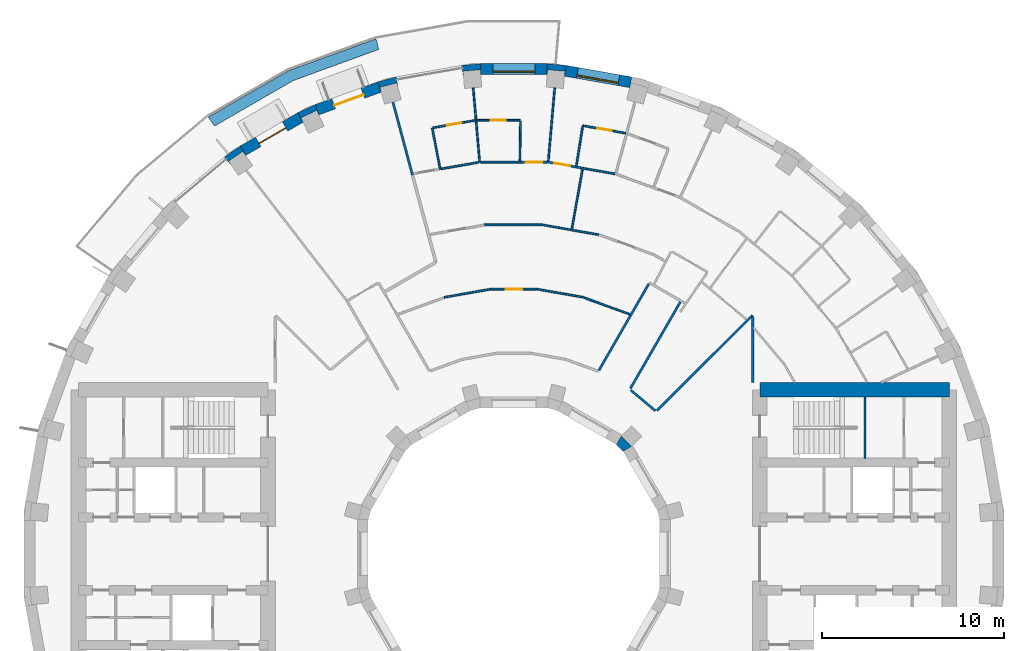
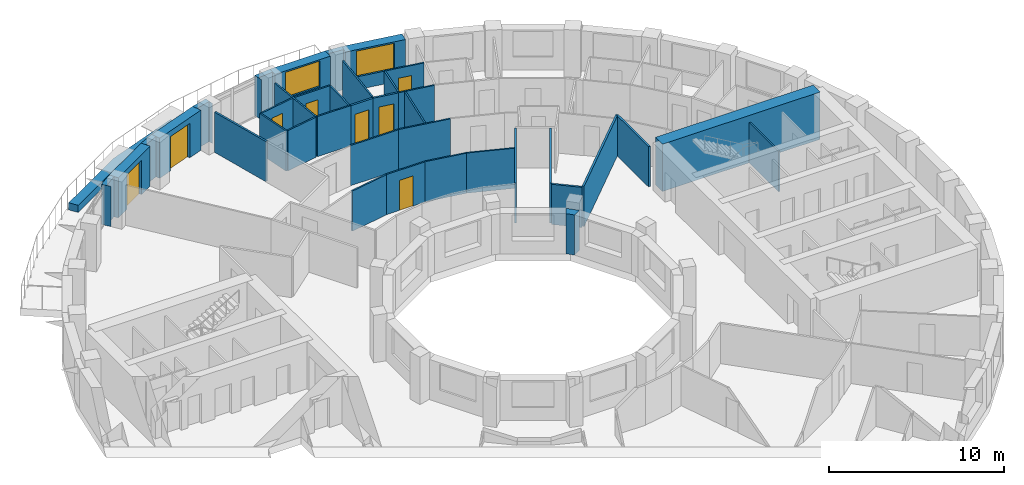
# One storey, part 11 of 14: 39 walls, 8 doors, 2 windows, 10 openings.
"""IFC4 building model written with IfcOpenShell, lengths in metres."""

import ifcopenshell
import ifcopenshell.guid

model = None  # the IFC model being written
_history = None  # IfcOwnerHistory: only IFC2X3 demands one
_inside = {}  # id of a spatial element -> (the spatial element, [elements in it])
_under = {}  # id of a project, library or spatial element -> (it, [spatial elements below it])
_declared = {}  # id of a project -> (the project, [libraries it declares])
_typed = {}  # id of a type object -> (the type object, [elements of that type])
_made_of = {}  # id of a material, layer set ... -> (it, [elements and type objects made of it])


def new_model(schema):
    """Start an empty IFC model of exactly this schema.

    Asked for "IFC4X3", IfcOpenShell would pick the latest addendum, in which some entities
    have other attributes; the version numbers below select the first issue.
    IFC2X3 requires an IfcOwnerHistory on every rooted entity: one is made here for all.
    """
    global model, _history
    if schema == "IFC4X3":
        model = ifcopenshell.file(schema_version=(4, 3, 0, 0))
    else:
        model = ifcopenshell.file(schema=schema)
    _inside.clear()
    _under.clear()
    _declared.clear()
    _typed.clear()
    _made_of.clear()
    _history = None
    if model.schema == "IFC2X3":
        org = make("IfcOrganization", Name="unknown")
        user = make(
            "IfcPersonAndOrganization",
            ThePerson=make("IfcPerson", FamilyName="unknown"),
            TheOrganization=org,
        )
        app = make(
            "IfcApplication",
            ApplicationDeveloper=org,
            Version="unknown",
            ApplicationFullName="unknown",
            ApplicationIdentifier="unknown",
        )
        _history = make(
            "IfcOwnerHistory",
            OwningUser=user,
            OwningApplication=app,
            ChangeAction="ADDED",
            CreationDate=0,
        )
    return model


def make(cls, **values):
    """One entity of the class cls with the attributes given. An attribute that is None is left unset."""
    return model.create_entity(
        cls, **{name: value for name, value in values.items() if value is not None}
    )


def rooted(cls, **values):
    """An entity with a GlobalId (a new one), such as an element, a storey or a relation."""
    return make(cls, GlobalId=ifcopenshell.guid.new(), OwnerHistory=_history, **values)


def si_unit(unit_type, name, prefix=None):
    """IfcSIUnit, for example si_unit("LENGTHUNIT", "METRE", prefix="MILLI")."""
    return make("IfcSIUnit", UnitType=unit_type, Prefix=prefix, Name=name)


def assignment(units):
    """IfcUnitAssignment: the units of a project."""
    return None if units is None else make("IfcUnitAssignment", Units=units)


def point(xyz):
    """IfcCartesianPoint."""
    return None if xyz is None else make("IfcCartesianPoint", Coordinates=xyz)


def direction(xyz):
    """IfcDirection."""
    return None if xyz is None else make("IfcDirection", DirectionRatios=xyz)


def frame(location, z_axis=None, x_axis=None):
    """IfcAxis2Placement3D, a coordinate frame: its origin and axes. An axis left out is left unset."""
    return make(
        "IfcAxis2Placement3D",
        Location=point(location),
        Axis=direction(z_axis),
        RefDirection=direction(x_axis),
    )


def frame_2d(location, x_axis=None):
    """IfcAxis2Placement2D, a coordinate frame in the plane: its origin and x axis."""
    return make(
        "IfcAxis2Placement2D", Location=point(location), RefDirection=direction(x_axis)
    )


def origin():
    """The frame at (0, 0, 0) with its axes left unset."""
    return frame((0.0, 0.0, 0.0))


def place(relative_to, where):
    """IfcLocalPlacement: puts the frame where relative to a parent placement (None: the world)."""
    return make(
        "IfcLocalPlacement", PlacementRelTo=relative_to, RelativePlacement=where
    )


def context(
    kind, dimensions, precision=None, world=None, true_north=None, identifier=None
):
    """IfcGeometricRepresentationContext, for example the 3D "Model" context."""
    return make(
        "IfcGeometricRepresentationContext",
        ContextIdentifier=identifier,
        ContextType=kind,
        CoordinateSpaceDimension=dimensions,
        Precision=precision,
        WorldCoordinateSystem=world,
        TrueNorth=true_north,
    )


def subcontext(parent, identifier, kind, view, scale=None):
    """IfcGeometricRepresentationSubContext, for example "Body" below "Model"."""
    return make(
        "IfcGeometricRepresentationSubContext",
        ContextIdentifier=identifier,
        ContextType=kind,
        ParentContext=parent,
        TargetScale=scale,
        TargetView=view,
    )


def project(units=None, contexts=None):
    """IfcProject with its units and contexts."""
    return rooted(
        "IfcProject",
        Name="project",
        RepresentationContexts=contexts,
        UnitsInContext=assignment(units),
    )


def spatial(cls, under=None, at=None, **own):
    """A site, building, storey or space (cls), placed at a placement, below another one or the project."""
    s = rooted(cls, ObjectPlacement=at, **own)
    if under is not None:
        _under.setdefault(under.id(), (under, []))[1].append(s)
    return s


def polyline(points):
    """IfcPolyline through the points."""
    return make("IfcPolyline", Points=[point(p) for p in points])


def profile(cls, at=None, kind="AREA", **sizes):
    """A parametric profile (cls). Its sizes go by their IFC names, for example OverallWidth=200.0."""
    return make(cls, ProfileType=kind, Position=at, **sizes)


def rectangle(**sizes):
    """IfcRectangleProfileDef."""
    return profile("IfcRectangleProfileDef", **sizes)


def outline(outer, holes=None, kind="AREA"):
    """IfcArbitraryClosedProfileDef: a profile drawn as a closed curve; with holes, ...WithVoids."""
    if holes is None:
        return make("IfcArbitraryClosedProfileDef", ProfileType=kind, OuterCurve=outer)
    return make(
        "IfcArbitraryProfileDefWithVoids",
        ProfileType=kind,
        OuterCurve=outer,
        InnerCurves=holes,
    )


def extrude(swept, where, along, depth):
    """IfcExtrudedAreaSolid: the profile swept, set in the frame where, extruded along a direction by depth."""
    return make(
        "IfcExtrudedAreaSolid",
        SweptArea=swept,
        Position=where,
        ExtrudedDirection=direction(along),
        Depth=depth,
    )


def shape(context_of_items, identifier, shape_type, items):
    """IfcShapeRepresentation: the items that make up one representation, for example the "Body"."""
    return make(
        "IfcShapeRepresentation",
        ContextOfItems=context_of_items,
        RepresentationIdentifier=identifier,
        RepresentationType=shape_type,
        Items=items,
    )


def material(Name=None, Category=None):
    """IfcMaterial."""
    return make("IfcMaterial", Name=Name, Category=Category)


def layer(
    of_material, thickness, ventilated=None, Name=None, Category=None, Priority=None
):
    """IfcMaterialLayer: one layer of a wall or slab, of a material (None: an air gap)."""
    return make(
        "IfcMaterialLayer",
        Material=of_material,
        LayerThickness=thickness,
        IsVentilated=ventilated,
        Name=Name,
        Category=Category,
        Priority=Priority,
    )


def layer_set(layers, Name=None):
    """IfcMaterialLayerSet."""
    return make("IfcMaterialLayerSet", MaterialLayers=layers, LayerSetName=Name)


def made_of(thing, what):
    """Note that an element or type object is made of a material, layer set ...; save() writes the relation."""
    if what is not None:
        _made_of.setdefault(what.id(), (what, []))[1].append(thing)
    return thing


def type_object(cls, material=None, **own):
    """A type object (cls), such as IfcWallType, which elements share."""
    return made_of(rooted(cls, **own), material)


def element(
    cls,
    number,
    at=None,
    inside=None,
    cuts=None,
    type_object=None,
    material=None,
    context=None,
    identifier="Body",
    shape_type=None,
    held_by="IfcProductDefinitionShape",
    body=None,
    shapes=None,
    **own,
):
    """One element of the class cls, such as IfcWall. Its Tag is "e" and its number.

    at: its placement. inside: the storey or other place that contains it. cuts: it is an
    opening in that element (IfcRelVoidsElement). A single representation is given by context,
    identifier, shape_type and body (its items); several are given by shapes. held_by: the class
    of the entity that holds the representations. save() writes the other relations.
    """
    e = rooted(cls, Tag="e%d" % number, ObjectPlacement=at, **own)
    if body is not None:
        shapes = [shape(context, identifier, shape_type, body)]
    if shapes is not None:
        e.Representation = make(held_by, Representations=shapes)
    if inside is not None:
        _inside.setdefault(inside.id(), (inside, []))[1].append(e)
    if cuts is not None:
        rooted(
            "IfcRelVoidsElement", RelatingBuildingElement=cuts, RelatedOpeningElement=e
        )
    if type_object is not None:
        _typed.setdefault(type_object.id(), (type_object, []))[1].append(e)
    return made_of(e, material)


def fill(opening, filler):
    """IfcRelFillsElement: the door or window that sits in an opening."""
    return rooted(
        "IfcRelFillsElement",
        RelatingOpeningElement=opening,
        RelatedBuildingElement=filler,
    )


def aggregate(whole, parts):
    """IfcRelAggregates: a whole, such as a stair, and the parts it consists of."""
    return rooted("IfcRelAggregates", RelatingObject=whole, RelatedObjects=parts)


def save(model, path):
    """Write the relations noted so far, then the file.

    IfcRelAggregates (storeys below a building ...), IfcRelContainedInSpatialStructure (elements
    in a storey), IfcRelDefinesByType, IfcRelAssociatesMaterial and IfcRelDeclares: one each for
    every whole, place, type object, material and project.
    """
    for whole, parts in _under.values():
        aggregate(whole, parts)
    for where, things in _inside.values():
        rooted(
            "IfcRelContainedInSpatialStructure",
            RelatedElements=things,
            RelatingStructure=where,
        )
    for kind, things in _typed.values():
        rooted("IfcRelDefinesByType", RelatedObjects=things, RelatingType=kind)
    for what, things in _made_of.values():
        rooted("IfcRelAssociatesMaterial", RelatedObjects=things, RelatingMaterial=what)
    for by, libraries in _declared.values():
        rooted("IfcRelDeclares", RelatingContext=by, RelatedDefinitions=libraries)
    model.write(path)


model = new_model("IFC4")

# Units and contexts
model_context = context("Model", 3, precision=1e-05, world=origin(), true_north=direction((0.0, 1.0)))
body_context = subcontext(model_context, "Body", "Model", "MODEL_VIEW")
ifc_project = project(units=[si_unit("LENGTHUNIT", "METRE"), si_unit("AREAUNIT", "SQUARE_METRE"), si_unit("VOLUMEUNIT", "CUBIC_METRE"), si_unit("PLANEANGLEUNIT", "RADIAN"), si_unit("MASSUNIT", "GRAM", prefix="KILO")], contexts=[model_context])

# Site, building, storey
site_placement = place(None, origin())
site = spatial("IfcSite", under=ifc_project, at=site_placement, CompositionType="ELEMENT")
building_placement = place(site_placement, origin())
building = spatial("IfcBuilding", under=site, at=building_placement, Name="Saqina Gate Tower", CompositionType="ELEMENT")
storey_placement = place(building_placement, frame((0.0, 0.0, 98.5)))
storey = spatial("IfcBuildingStorey", under=building, at=storey_placement, Name="L27", CompositionType="ELEMENT", Elevation=98.5)

# Walls
ifc_material_1 = material(Name="Brick masonry (buff)", Category="masonry")
wall_type_1 = type_object("IfcWallType", Name="BRICK PIER COPING BUFF", PredefinedType="SOLIDWALL", material=ifc_material_1)
wall_1_placement = place(storey_placement, origin())
element("IfcWall", 1, at=wall_1_placement, inside=storey, type_object=wall_type_1, Name="Pier cap L27 column 9", PredefinedType="SOLIDWALL", context=body_context, shape_type="SweptSolid", body=[
    extrude(outline(polyline([(2.87451171875, 26.805419921875), (1.823974609375, 26.897216796875), (1.823974609375, 26.29736328125), (1.847412109375, 26.565185546875), (2.793701171875, 26.482421875), (2.770263671875, 26.214599609375), (2.87451171875, 26.805419921875)])), origin(), (0.0, 0.0, 1.0), 2.800048828125),
])
wall_2_placement = place(storey_placement, origin())
element("IfcWall", 2, at=wall_2_placement, inside=storey, type_object=wall_type_1, Name="Pier cap L27 column 10", PredefinedType="SOLIDWALL", context=body_context, shape_type="SweptSolid", body=[
    extrude(outline(polyline([(-2.87451171875, 26.805419921875), (-2.770263671875, 26.214599609375), (-2.793701171875, 26.482421875), (-1.847412109375, 26.565185546875), (-1.823974609375, 26.29736328125), (-1.823974609375, 26.897216796875), (-2.87451171875, 26.805419921875)])), origin(), (0.0, 0.0, 1.0), 2.800048828125),
])
wall_3_placement = place(storey_placement, origin())
element("IfcWall", 3, at=wall_3_placement, inside=storey, type_object=wall_type_1, Name="Pier cap L27 column 11", PredefinedType="SOLIDWALL", context=body_context, shape_type="SweptSolid", body=[
    extrude(outline(polyline([(-6.466796875, 26.171875), (-7.485595703125, 25.89892578125), (-7.2802734375, 25.335205078125), (-7.349853515625, 25.5947265625), (-6.43212890625, 25.8408203125), (-6.36279296875, 25.5810546875), (-6.466796875, 26.171875)])), origin(), (0.0, 0.0, 1.0), 2.800048828125),
])
wall_4_placement = place(storey_placement, origin())
element("IfcWall", 4, at=wall_4_placement, inside=storey, type_object=wall_type_1, Name="Pier cap L27 column 12", PredefinedType="SOLIDWALL", context=body_context, shape_type="SweptSolid", body=[
    extrude(outline(polyline([(-10.913330078125, 24.6513671875), (-11.869140625, 24.205810546875), (-11.569091796875, 23.68603515625), (-11.6826171875, 23.9296875), (-10.82177734375, 24.331298828125), (-10.7080078125, 24.08740234375), (-10.913330078125, 24.6513671875)])), origin(), (0.0, 0.0, 1.0), 2.800048828125),
])
wall_5_placement = place(storey_placement, origin())
element("IfcWall", 5, at=wall_5_placement, inside=storey, type_object=wall_type_1, Name="Pier cap L27 column 13", PredefinedType="SOLIDWALL", context=body_context, shape_type="SweptSolid", body=[
    extrude(outline(polyline([(-15.89208984375, 21.77685546875), (-15.50634765625, 21.317138671875), (-15.66064453125, 21.53759765625), (-14.88232421875, 22.08251953125), (-14.728271484375, 21.862060546875), (-15.0283203125, 22.3818359375), (-15.89208984375, 21.77685546875)])), origin(), (0.0, 0.0, 1.0), 2.800048828125),
])

# Wall, opening, window
ifc_material_2 = material(Name="Brick masonry (buff)", Category="masonry")
ifc_layer_1 = layer(ifc_material_2, 0.60009765625)
ifc_layer_set_1 = layer_set([ifc_layer_1], Name="FW-BRICK-BUFF")
wall_type_2 = type_object("IfcWallType", Name="FW-BRICK-BUFF", PredefinedType="SOLIDWALL", material=ifc_layer_set_1)
wall_6_placement = place(storey_placement, frame((6.414794921875, 25.87646484375, 0.0), z_axis=(0.0, 0.0, 1.0), x_axis=(-0.984803764455, 0.173670796382, 0.0)))
wall_6 = element("IfcWall", 6, at=wall_6_placement, inside=storey, type_object=wall_type_2, Name="Facade wall L27 facet 8", PredefinedType="SOLIDWALL", context=body_context, shape_type="SweptSolid", body=[
    extrude(rectangle(XDim=3.64794921875, YDim=0.60009765625, at=frame_2d((1.823974609375, 0.0))), origin(), (0.0, 0.0, 1.0), 2.800048828125),
])
opening_1_placement = place(wall_6_placement, frame((0.673828125, 0.0, 0.89990234375)))
opening_1 = element("IfcOpeningElement", 7, at=opening_1_placement, cuts=wall_6, Name="Opening G07-W06", PredefinedType="OPENING", context=body_context, shape_type="SweptSolid", body=[
    extrude(rectangle(XDim=2.300048828125, YDim=1.800048828125, at=frame_2d((1.14990234375, 0.89990234375))), frame((0.0, 0.31201171875, 0.0), z_axis=(0.0, -1.0, 0.0), x_axis=(1.0, 0.0, 0.0)), (0.0, 0.0, 1.0), 0.6240234375),
])
ifc_material_3 = material(Name="Aluminium glazing", Category="aluminium")
window_type = type_object("IfcWindowType", Name="WN-B", PartitioningType="SINGLE_PANEL", PredefinedType="WINDOW", material=ifc_material_3)
window_1_placement = place(opening_1_placement, origin())
window_1 = element("IfcWindow", 8, at=window_1_placement, inside=storey, type_object=window_type, Name="Window L27 facet 8", OverallHeight=1.800048828125, OverallWidth=2.300048828125, PartitioningType="SINGLE_PANEL", PredefinedType="WINDOW", context=body_context, shape_type="SweptSolid", body=[
    extrude(rectangle(XDim=2.300048828125, YDim=1.800048828125, at=frame_2d((1.14990234375, 0.89990234375))), frame((0.0, 0.179931640625, 0.0), z_axis=(0.0, -1.0, 0.0), x_axis=(1.0, 0.0, 0.0)), (0.0, 0.0, 1.0), 0.06005859375),
])
fill(opening_1, window_1)

wall_7_placement = place(storey_placement, frame((1.823974609375, 26.59716796875, 0.0), z_axis=(0.0, 0.0, 1.0), x_axis=(-1.0, 0.0, 0.0)))
wall_7 = element("IfcWall", 9, at=wall_7_placement, inside=storey, type_object=wall_type_2, Name="Facade wall L27 facet 9", PredefinedType="SOLIDWALL", context=body_context, shape_type="SweptSolid", body=[
    extrude(rectangle(XDim=3.64794921875, YDim=0.60009765625, at=frame_2d((1.823974609375, 0.0))), origin(), (0.0, 0.0, 1.0), 2.800048828125),
])
opening_2_placement = place(wall_7_placement, frame((0.673828125, 0.0, 0.89990234375)))
opening_2 = element("IfcOpeningElement", 10, at=opening_2_placement, cuts=wall_7, Name="Opening G07-W07", PredefinedType="OPENING", context=body_context, shape_type="SweptSolid", body=[
    extrude(rectangle(XDim=2.300048828125, YDim=1.800048828125, at=frame_2d((1.14990234375, 0.89990234375))), frame((0.0, 0.31201171875, 0.0), z_axis=(0.0, -1.0, 0.0), x_axis=(1.0, 0.0, 0.0)), (0.0, 0.0, 1.0), 0.6240234375),
])
window_2_placement = place(opening_2_placement, origin())
window_2 = element("IfcWindow", 11, at=window_2_placement, inside=storey, type_object=window_type, Name="Window L27 facet 9", OverallHeight=1.800048828125, OverallWidth=2.300048828125, PartitioningType="SINGLE_PANEL", PredefinedType="WINDOW", context=body_context, shape_type="SweptSolid", body=[
    extrude(rectangle(XDim=2.300048828125, YDim=1.800048828125, at=frame_2d((1.14990234375, 0.89990234375))), frame((0.0, 0.179931640625, 0.0), z_axis=(0.0, -1.0, 0.0), x_axis=(1.0, 0.0, 0.0)), (0.0, 0.0, 1.0), 0.06005859375),
])
fill(opening_2, window_2)

# Wall, opening, door
wall_8_placement = place(storey_placement, frame((-7.3828125, 25.616943359375, 0.0), z_axis=(0.0, 0.0, 1.0), x_axis=(-0.939703505393, -0.341990236633, 0.0)))
wall_8 = element("IfcWall", 12, at=wall_8_placement, inside=storey, type_object=wall_type_2, Name="Facade wall L27 facet 11", PredefinedType="SOLIDWALL", context=body_context, shape_type="SweptSolid", body=[
    extrude(rectangle(XDim=3.64794921875, YDim=0.60009765625, at=frame_2d((1.823974609375, 0.0))), origin(), (0.0, 0.0, 1.0), 2.800048828125),
])
opening_3_placement = place(wall_8_placement, frame((0.973876953125, 0.0, 0.0)))
opening_3 = element("IfcOpeningElement", 13, at=opening_3_placement, cuts=wall_8, Name="Opening G07-D80", PredefinedType="OPENING", context=body_context, shape_type="SweptSolid", body=[
    extrude(rectangle(XDim=1.699951171875, YDim=2.39990234375, at=frame_2d((0.85009765625, 1.199951171875))), frame((0.0, 0.31201171875, 0.0), z_axis=(0.0, -1.0, 0.0), x_axis=(1.0, 0.0, 0.0)), (0.0, 0.0, 1.0), 0.6240234375),
])
ifc_material_4 = material(Name="Aluminium glazing", Category="aluminium")
door_type_1 = type_object("IfcDoorType", Name="GD-B", OperationType="DOUBLE_DOOR_SINGLE_SWING", PredefinedType="DOOR", material=ifc_material_4)
door_1_placement = place(opening_3_placement, origin())
door_1 = element("IfcDoor", 14, at=door_1_placement, inside=storey, type_object=door_type_1, Name="Terrace door L27 facet 11", OperationType="DOUBLE_DOOR_SINGLE_SWING", OverallHeight=2.39990234375, OverallWidth=1.699951171875, PredefinedType="DOOR", context=body_context, shape_type="SweptSolid", body=[
    extrude(rectangle(XDim=1.699951171875, YDim=2.39990234375, at=frame_2d((0.85009765625, 1.199951171875))), frame((0.0, 0.125, 0.0), z_axis=(0.0, -1.0, 0.0), x_axis=(1.0, 0.0, 0.0)), (0.0, 0.0, 1.0), 0.050048828125),
])
fill(opening_3, door_1)

wall_9_placement = place(storey_placement, frame((-11.718994140625, 23.94580078125, 0.0), z_axis=(0.0, 0.0, 1.0), x_axis=(-0.866051847062, -0.499954196102, 0.0)))
wall_9 = element("IfcWall", 15, at=wall_9_placement, inside=storey, type_object=wall_type_2, Name="Facade wall L27 facet 12", PredefinedType="SOLIDWALL", context=body_context, shape_type="SweptSolid", body=[
    extrude(rectangle(XDim=3.647705078125, YDim=0.60009765625, at=frame_2d((1.82373046875, 0.0))), origin(), (0.0, 0.0, 1.0), 2.800048828125),
])
opening_4_placement = place(wall_9_placement, frame((0.973876953125, 0.0, 0.0)))
opening_4 = element("IfcOpeningElement", 16, at=opening_4_placement, cuts=wall_9, Name="Opening G07-D81", PredefinedType="OPENING", context=body_context, shape_type="SweptSolid", body=[
    extrude(rectangle(XDim=1.699951171875, YDim=2.39990234375, at=frame_2d((0.85009765625, 1.199951171875))), frame((0.0, 0.31201171875, 0.0), z_axis=(0.0, -1.0, 0.0), x_axis=(1.0, 0.0, 0.0)), (0.0, 0.0, 1.0), 0.6240234375),
])
door_2_placement = place(opening_4_placement, origin())
door_2 = element("IfcDoor", 17, at=door_2_placement, inside=storey, type_object=door_type_1, Name="Terrace door L27 facet 12", OperationType="DOUBLE_DOOR_SINGLE_SWING", OverallHeight=2.39990234375, OverallWidth=1.699951171875, PredefinedType="DOOR", context=body_context, shape_type="SweptSolid", body=[
    extrude(rectangle(XDim=1.699951171875, YDim=2.39990234375, at=frame_2d((0.85009765625, 1.199951171875))), frame((0.0, 0.125, 0.0), z_axis=(0.0, -1.0, 0.0), x_axis=(1.0, 0.0, 0.0)), (0.0, 0.0, 1.0), 0.050048828125),
])
fill(opening_4, door_2)

# Walls
ifc_material_5 = material(Name="Gypsum board on steel studs, 100 mm", Category="steel")
ifc_layer_2 = layer(ifc_material_5, 0.10009765625)
ifc_layer_set_2 = layer_set([ifc_layer_2], Name="PARTITION 100")
wall_type_3 = type_object("IfcWallType", Name="PARTITION 100", PredefinedType="PARTITIONING", material=ifc_layer_set_2)
wall_10_placement = place(storey_placement, frame((-2.23681640625, 25.5673828125, 0.0), z_axis=(0.0, 0.0, 1.0), x_axis=(0.087060211484, -0.996203051379, 0.0)))
element("IfcWall", 18, at=wall_10_placement, inside=storey, type_object=wall_type_3, Name="PARTITION PW3-01", PredefinedType="PARTITIONING", context=body_context, shape_type="SweptSolid", body=[
    extrude(rectangle(XDim=4.0859375, YDim=0.10009765625, at=frame_2d((2.04296875, 0.0))), origin(), (0.0, 0.0, 1.0), 2.800048828125),
])
wall_11_placement = place(storey_placement, frame((-4.486083984375, 23.373046875, 0.0), z_axis=(0.0, 0.0, 1.0), x_axis=(0.188701744684, -0.982034445197, 0.0)))
element("IfcWall", 19, at=wall_11_placement, inside=storey, type_object=wall_type_3, Name="PARTITION PW3-04", PredefinedType="PARTITIONING", context=body_context, shape_type="SweptSolid", body=[
    extrude(rectangle(XDim=2.30029296875, YDim=0.10009765625, at=frame_2d((1.150146484375, 0.0))), origin(), (0.0, 0.0, 1.0), 2.800048828125),
])
wall_12_placement = place(storey_placement, frame((3.726318359375, 14.101318359375, 0.0), z_axis=(0.0, 0.0, 1.0), x_axis=(0.939597715072, -0.342280782152, 0.0)))
element("IfcWall", 20, at=wall_12_placement, inside=storey, type_object=wall_type_3, Name="PARTITION PW3-39", PredefinedType="PARTITIONING", context=body_context, shape_type="SweptSolid", body=[
    extrude(rectangle(XDim=2.806640625, YDim=0.10009765625, at=frame_2d((1.4033203125, 0.0))), origin(), (0.0, 0.0, 1.0), 2.800048828125),
])
wall_13_placement = place(storey_placement, frame((3.364990234375, 21.236328125, 0.0), z_axis=(0.0, 0.0, 1.0), x_axis=(0.98465059855, -0.174537098562, 0.0)))
element("IfcWall", 21, at=wall_13_placement, inside=storey, type_object=wall_type_3, Name="PARTITION PW3-43", PredefinedType="PARTITIONING", context=body_context, shape_type="SweptSolid", body=[
    extrude(rectangle(XDim=2.20458984375, YDim=0.10009765625, at=frame_2d((1.102294921875, 0.0))), origin(), (0.0, 0.0, 1.0), 2.800048828125),
])
wall_14_placement = place(storey_placement, frame((1.220947265625, 14.53369140625, 0.0), z_axis=(0.0, 0.0, 1.0), x_axis=(0.98484729526, -0.173423772937, 0.0)))
element("IfcWall", 22, at=wall_14_placement, inside=storey, type_object=wall_type_3, Name="PARTITION PW3-47", PredefinedType="PARTITIONING", context=body_context, shape_type="SweptSolid", body=[
    extrude(rectangle(XDim=2.54248046875, YDim=0.10009765625, at=frame_2d((1.271240234375, 0.0))), origin(), (0.0, 0.0, 1.0), 2.800048828125),
])
wall_15_placement = place(storey_placement, frame((1.529052734375, 18.060791015625, 0.0), z_axis=(0.0, 0.0, 1.0), x_axis=(0.984824759837, -0.173551699537, 0.0)))
element("IfcWall", 23, at=wall_15_placement, inside=storey, type_object=wall_type_3, Name="PARTITION PW3-48", PredefinedType="PARTITIONING", context=body_context, shape_type="SweptSolid", body=[
    extrude(rectangle(XDim=3.159423828125, YDim=0.10009765625, at=frame_2d((1.57958984375, 0.0))), origin(), (0.0, 0.0, 1.0), 2.800048828125),
])

# Wall, opening, door
wall_16_placement = place(storey_placement, frame((3.779052734375, 23.498046875, 0.0), z_axis=(0.0, 0.0, 1.0), x_axis=(0.984802055472, -0.173680486922, 0.0)))
wall_16 = element("IfcWall", 24, at=wall_16_placement, inside=storey, type_object=wall_type_3, Name="PARTITION PW3-49", PredefinedType="PARTITIONING", context=body_context, shape_type="SweptSolid", body=[
    extrude(rectangle(XDim=2.39111328125, YDim=0.10009765625, at=frame_2d((1.195556640625, 0.0))), origin(), (0.0, 0.0, 1.0), 2.800048828125),
])
opening_5_placement = place(wall_16_placement, frame((0.820556640625, 0.0, 0.0)))
opening_5 = element("IfcOpeningElement", 25, at=opening_5_placement, cuts=wall_16, Name="Opening G07-D13", PredefinedType="OPENING", context=body_context, shape_type="SweptSolid", body=[
    extrude(rectangle(XDim=0.800048828125, YDim=2.10009765625, at=frame_2d((0.39990234375, 1.050048828125))), frame((0.0, 0.06201171875, 0.0), z_axis=(0.0, -1.0, 0.0), x_axis=(1.0, 0.0, 0.0)), (0.0, 0.0, 1.0), 0.1240234375),
])
ifc_material_6 = material(Name="Timber door leaf, 800 mm", Category="wood")
door_type_2 = type_object("IfcDoorType", Name="DOOR 800 TIMBER", OperationType="SINGLE_SWING_LEFT", PredefinedType="DOOR", material=ifc_material_6)
door_3_placement = place(opening_5_placement, origin())
door_3 = element("IfcDoor", 26, at=door_3_placement, inside=storey, type_object=door_type_2, Name="DOOR G07-D13", OperationType="SINGLE_SWING_RIGHT", OverallHeight=2.10009765625, OverallWidth=0.800048828125, PredefinedType="DOOR", context=body_context, shape_type="SweptSolid", body=[
    extrude(rectangle(XDim=0.800048828125, YDim=2.10009765625, at=frame_2d((0.39990234375, 1.050048828125))), frame((0.0, 0.02490234375, 0.0), z_axis=(0.0, -1.0, 0.0), x_axis=(1.0, 0.0, 0.0)), (0.0, 0.0, 1.0), 0.050048828125),
])
fill(opening_5, door_3)

wall_17_placement = place(storey_placement, frame((-1.32177734375, 14.52490234375, 0.0), z_axis=(0.0, 0.0, 1.0), x_axis=(1.0, 0.0, 0.0)))
wall_17 = element("IfcWall", 27, at=wall_17_placement, inside=storey, type_object=wall_type_3, Name="PARTITION PW3-54", PredefinedType="PARTITIONING", context=body_context, shape_type="SweptSolid", body=[
    extrude(rectangle(XDim=2.542724609375, YDim=0.10009765625, at=frame_2d((1.271484375, 0.0))), origin(), (0.0, 0.0, 1.0), 2.800048828125),
])
opening_6_placement = place(wall_17_placement, frame((0.871826171875, 0.0, 0.0)))
opening_6 = element("IfcOpeningElement", 28, at=opening_6_placement, cuts=wall_17, Name="Opening G07-D16", PredefinedType="OPENING", context=body_context, shape_type="SweptSolid", body=[
    extrude(rectangle(XDim=0.89990234375, YDim=2.10009765625, at=frame_2d((0.449951171875, 1.050048828125))), frame((0.0, 0.06201171875, 0.0), z_axis=(0.0, -1.0, 0.0), x_axis=(1.0, 0.0, 0.0)), (0.0, 0.0, 1.0), 0.1240234375),
])
ifc_material_7 = material(Name="Timber door leaf, 900 mm", Category="wood")
door_type_3 = type_object("IfcDoorType", Name="DOOR 900 TIMBER", OperationType="SINGLE_SWING_LEFT", PredefinedType="DOOR", material=ifc_material_7)
door_4_placement = place(opening_6_placement, origin())
door_4 = element("IfcDoor", 29, at=door_4_placement, inside=storey, type_object=door_type_3, Name="DOOR G07-D16", OperationType="SINGLE_SWING_RIGHT", OverallHeight=2.10009765625, OverallWidth=0.89990234375, PredefinedType="DOOR", context=body_context, shape_type="SweptSolid", body=[
    extrude(rectangle(XDim=0.89990234375, YDim=2.10009765625, at=frame_2d((0.449951171875, 1.050048828125))), frame((0.0, 0.02490234375, 0.0), z_axis=(0.0, -1.0, 0.0), x_axis=(1.0, 0.0, 0.0)), (0.0, 0.0, 1.0), 0.050048828125),
])
fill(opening_6, door_4)

# Walls
wall_18_placement = place(storey_placement, frame((-1.6298828125, 18.052001953125, 0.0), z_axis=(0.0, 0.0, 1.0), x_axis=(1.0, 0.0, 0.0)))
element("IfcWall", 30, at=wall_18_placement, inside=storey, type_object=wall_type_3, Name="PARTITION PW3-55", PredefinedType="PARTITIONING", context=body_context, shape_type="SweptSolid", body=[
    extrude(rectangle(XDim=3.158935546875, YDim=0.10009765625, at=frame_2d((1.57958984375, 0.0))), origin(), (0.0, 0.0, 1.0), 2.800048828125),
])
wall_19_placement = place(storey_placement, frame((-1.8310546875, 21.4970703125, 0.0), z_axis=(0.0, 0.0, 1.0), x_axis=(1.0, 0.0, 0.0)))
element("IfcWall", 31, at=wall_19_placement, inside=storey, type_object=wall_type_3, Name="PARTITION PW3-56", PredefinedType="PARTITIONING", context=body_context, shape_type="SweptSolid", body=[
    extrude(rectangle(XDim=2.205078125, YDim=0.10009765625, at=frame_2d((1.1025390625, 0.0))), origin(), (0.0, 0.0, 1.0), 2.800048828125),
])

# Wall, opening, door
wall_20_placement = place(storey_placement, frame((-2.031982421875, 23.797119140625, 0.0), z_axis=(0.0, 0.0, 1.0), x_axis=(1.0, 0.0, 0.0)))
wall_20 = element("IfcWall", 32, at=wall_20_placement, inside=storey, type_object=wall_type_3, Name="PARTITION PW3-57", PredefinedType="PARTITIONING", context=body_context, shape_type="SweptSolid", body=[
    extrude(rectangle(XDim=2.390869140625, YDim=0.10009765625, at=frame_2d((1.1953125, 0.0))), origin(), (0.0, 0.0, 1.0), 2.800048828125),
])
opening_7_placement = place(wall_20_placement, frame((0.7705078125, 0.0, 0.0)))
opening_7 = element("IfcOpeningElement", 33, at=opening_7_placement, cuts=wall_20, Name="Opening G07-D17", PredefinedType="OPENING", context=body_context, shape_type="SweptSolid", body=[
    extrude(rectangle(XDim=0.800048828125, YDim=2.10009765625, at=frame_2d((0.39990234375, 1.050048828125))), frame((0.0, 0.06201171875, 0.0), z_axis=(0.0, -1.0, 0.0), x_axis=(1.0, 0.0, 0.0)), (0.0, 0.0, 1.0), 0.1240234375),
])
door_5_placement = place(opening_7_placement, origin())
door_5 = element("IfcDoor", 34, at=door_5_placement, inside=storey, type_object=door_type_2, Name="DOOR G07-D17", OperationType="SINGLE_SWING_LEFT", OverallHeight=2.10009765625, OverallWidth=0.800048828125, PredefinedType="DOOR", context=body_context, shape_type="SweptSolid", body=[
    extrude(rectangle(XDim=0.800048828125, YDim=2.10009765625, at=frame_2d((0.39990234375, 1.050048828125))), frame((0.0, 0.02490234375, 0.0), z_axis=(0.0, -1.0, 0.0), x_axis=(1.0, 0.0, 0.0)), (0.0, 0.0, 1.0), 0.050048828125),
])
fill(opening_7, door_5)

# Walls
wall_21_placement = place(storey_placement, frame((-3.823974609375, 14.0751953125, 0.0), z_axis=(0.0, 0.0, 1.0), x_axis=(0.984827998664, 0.173533319706, 0.0)))
element("IfcWall", 35, at=wall_21_placement, inside=storey, type_object=wall_type_3, Name="PARTITION PW3-61", PredefinedType="PARTITIONING", context=body_context, shape_type="SweptSolid", body=[
    extrude(rectangle(XDim=2.542236328125, YDim=0.10009765625, at=frame_2d((1.27099609375, 0.0))), origin(), (0.0, 0.0, 1.0), 2.800048828125),
])
wall_22_placement = place(storey_placement, frame((-4.002685546875, 21.122802734375, 0.0), z_axis=(0.0, 0.0, 1.0), x_axis=(0.984804573467, 0.173666208797, 0.0)))
element("IfcWall", 36, at=wall_22_placement, inside=storey, type_object=wall_type_3, Name="PARTITION PW3-63", PredefinedType="PARTITIONING", context=body_context, shape_type="SweptSolid", body=[
    extrude(rectangle(XDim=2.1044921875, YDim=0.10009765625, at=frame_2d((1.05224609375, 0.0))), origin(), (0.0, 0.0, 1.0), 2.800048828125),
])

# Wall, opening, door
wall_23_placement = place(storey_placement, frame((-4.436767578125, 23.381591796875, 0.0), z_axis=(0.0, 0.0, 1.0), x_axis=(0.984790907087, 0.173743688574, 0.0)))
wall_23 = element("IfcWall", 37, at=wall_23_placement, inside=storey, type_object=wall_type_3, Name="PARTITION PW3-64", PredefinedType="PARTITIONING", context=body_context, shape_type="SweptSolid", body=[
    extrude(rectangle(XDim=2.341064453125, YDim=0.10009765625, at=frame_2d((1.17041015625, 0.0))), origin(), (0.0, 0.0, 1.0), 2.800048828125),
])
opening_8_placement = place(wall_23_placement, frame((0.7705078125, 0.0, 0.0)))
opening_8 = element("IfcOpeningElement", 38, at=opening_8_placement, cuts=wall_23, Name="Opening G07-D18", PredefinedType="OPENING", context=body_context, shape_type="SweptSolid", body=[
    extrude(rectangle(XDim=0.800048828125, YDim=2.10009765625, at=frame_2d((0.39990234375, 1.050048828125))), frame((0.0, 0.06201171875, 0.0), z_axis=(0.0, -1.0, 0.0), x_axis=(1.0, 0.0, 0.0)), (0.0, 0.0, 1.0), 0.1240234375),
])
door_6_placement = place(opening_8_placement, origin())
door_6 = element("IfcDoor", 39, at=door_6_placement, inside=storey, type_object=door_type_2, Name="DOOR G07-D18", OperationType="SINGLE_SWING_RIGHT", OverallHeight=2.10009765625, OverallWidth=0.800048828125, PredefinedType="DOOR", context=body_context, shape_type="SweptSolid", body=[
    extrude(rectangle(XDim=0.800048828125, YDim=2.10009765625, at=frame_2d((0.39990234375, 1.050048828125))), frame((0.0, 0.02490234375, 0.0), z_axis=(0.0, -1.0, 0.0), x_axis=(1.0, 0.0, 0.0)), (0.0, 0.0, 1.0), 0.050048828125),
])
fill(opening_8, door_6)

# Walls
wall_24_placement = place(storey_placement, frame((3.177734375, 17.8212890625, 0.0), z_axis=(0.0, 0.0, 1.0), x_axis=(0.175313184309, 0.984512715716, 0.0)))
element("IfcWall", 40, at=wall_24_placement, inside=storey, type_object=wall_type_3, Name="PARTITION PW3-99", PredefinedType="PARTITIONING", context=body_context, shape_type="SweptSolid", body=[
    extrude(rectangle(XDim=3.344970703125, YDim=0.10009765625, at=frame_2d((1.67236328125, 0.0))), origin(), (0.0, 0.0, 1.0), 2.800048828125),
])
wall_25_placement = place(storey_placement, frame((3.424072265625, 21.2890625, 0.0), z_axis=(0.0, 0.0, 1.0), x_axis=(0.1586042635, 0.987342234283, 0.0)))
element("IfcWall", 41, at=wall_25_placement, inside=storey, type_object=wall_type_3, Name="PARTITION PW3-101", PredefinedType="PARTITIONING", context=body_context, shape_type="SweptSolid", body=[
    extrude(rectangle(XDim=2.187255859375, YDim=0.10009765625, at=frame_2d((1.09375, 0.0))), origin(), (0.0, 0.0, 1.0), 2.800048828125),
])
wall_26_placement = place(storey_placement, frame((1.886474609375, 21.559326171875, 0.0), z_axis=(0.0, 0.0, 1.0), x_axis=(0.087137593131, 0.996196285811, 0.0)))
element("IfcWall", 42, at=wall_26_placement, inside=storey, type_object=wall_type_3, Name="PARTITION PW3-103", PredefinedType="PARTITIONING", context=body_context, shape_type="SweptSolid", body=[
    extrude(rectangle(XDim=4.0234375, YDim=0.10009765625, at=frame_2d((2.01171875, 0.0))), origin(), (0.0, 0.0, 1.0), 2.800048828125),
])
wall_27_placement = place(storey_placement, frame((0.324951171875, 21.5595703125, 0.0), z_axis=(0.0, 0.0, 1.0), x_axis=(0.015176823242, 0.999884825386, 0.0)))
element("IfcWall", 43, at=wall_27_placement, inside=storey, type_object=wall_type_3, Name="PARTITION PW3-105", PredefinedType="PARTITIONING", context=body_context, shape_type="SweptSolid", body=[
    extrude(rectangle(XDim=2.187744140625, YDim=0.10009765625, at=frame_2d((1.09375, 0.0))), origin(), (0.0, 0.0, 1.0), 2.800048828125),
])
ifc_material_8 = material(Name="Gypsum board on steel studs, 125 mm, fire rated", Category="steel")
ifc_layer_3 = layer(ifc_material_8, 0.125)
ifc_layer_set_3 = layer_set([ifc_layer_3], Name="PARTITION EI 30 125")
wall_type_4 = type_object("IfcWallType", Name="PARTITION EI 30 125", PredefinedType="PARTITIONING", material=ifc_layer_set_3)
wall_28_placement = place(storey_placement, frame((-6.642333984375, 24.79052734375, 0.0), z_axis=(0.0, 0.0, 1.0), x_axis=(0.258787077678, -0.965934391368, 0.0)))
element("IfcWall", 44, at=wall_28_placement, inside=storey, type_object=wall_type_4, Name="PARTITION PW1-01", PredefinedType="PARTITIONING", context=body_context, shape_type="SweptSolid", body=[
    extrude(rectangle(XDim=4.148193359375, YDim=0.125, at=frame_2d((2.07421875, 0.0))), origin(), (0.0, 0.0, 1.0), 2.800048828125),
])
wall_29_placement = place(storey_placement, frame((6.4091796875, 8.981201171875, 0.0), z_axis=(0.0, 0.0, 1.0), x_axis=(0.766209131969, -0.642591290081, 0.0)))
element("IfcWall", 45, at=wall_29_placement, inside=storey, type_object=wall_type_4, Name="PARTITION PW1-13", PredefinedType="PARTITIONING", context=body_context, shape_type="SweptSolid", body=[
    extrude(rectangle(XDim=1.763671875, YDim=0.125, at=frame_2d((0.8818359375, 0.0))), origin(), (0.0, 0.0, 1.0), 2.800048828125),
])

# Wall, opening, door
wall_30_placement = place(storey_placement, frame((1.818603515625, 21.508056640625, 0.0), z_axis=(0.0, 0.0, 1.0), x_axis=(0.984825798369, -0.17354580625, 0.0)))
wall_30 = element("IfcWall", 46, at=wall_30_placement, inside=storey, type_object=wall_type_4, Name="PARTITION PW1-26", PredefinedType="PARTITIONING", context=body_context, shape_type="SweptSolid", body=[
    extrude(rectangle(XDim=1.570068359375, YDim=0.125, at=frame_2d((0.78515625, 0.0))), origin(), (0.0, 0.0, 1.0), 2.800048828125),
])
opening_9_placement = place(wall_30_placement, frame((0.391845703125, 0.0, 0.0)))
opening_9 = element("IfcOpeningElement", 47, at=opening_9_placement, cuts=wall_30, Name="Opening G07-D14", PredefinedType="OPENING", context=body_context, shape_type="SweptSolid", body=[
    extrude(rectangle(XDim=0.89990234375, YDim=2.10009765625, at=frame_2d((0.449951171875, 1.050048828125))), frame((0.0, 0.074462890625, 0.0), z_axis=(0.0, -1.0, 0.0), x_axis=(1.0, 0.0, 0.0)), (0.0, 0.0, 1.0), 0.14892578125),
])
ifc_material_9 = material(Name="Fire door leaf EI 30, 900 mm")
door_type_4 = type_object("IfcDoorType", Name="DOOR 900 EI 30", OperationType="SINGLE_SWING_LEFT", PredefinedType="DOOR", material=ifc_material_9)
door_7_placement = place(opening_9_placement, frame((0.89990234375, 0.0, 0.0), z_axis=(0.0, 0.0, 1.0), x_axis=(-1.0, 0.0, 0.0)))
door_7 = element("IfcDoor", 48, at=door_7_placement, inside=storey, type_object=door_type_4, Name="DOOR G07-D14", OperationType="SINGLE_SWING_RIGHT", OverallHeight=2.10009765625, OverallWidth=0.89990234375, PredefinedType="DOOR", context=body_context, shape_type="SweptSolid", body=[
    extrude(rectangle(XDim=0.89990234375, YDim=2.10009765625, at=frame_2d((0.449951171875, 1.050048828125))), frame((0.0, 0.02490234375, 0.0), z_axis=(0.0, -1.0, 0.0), x_axis=(1.0, 0.0, 0.0)), (0.0, 0.0, 1.0), 0.050048828125),
])
fill(opening_9, door_7)

wall_31_placement = place(storey_placement, frame((0.3740234375, 21.4970703125, 0.0), z_axis=(0.0, 0.0, 1.0), x_axis=(1.0, 0.0, 0.0)))
wall_31 = element("IfcWall", 49, at=wall_31_placement, inside=storey, type_object=wall_type_4, Name="PARTITION PW1-30", PredefinedType="PARTITIONING", context=body_context, shape_type="SweptSolid", body=[
    extrude(rectangle(XDim=1.444580078125, YDim=0.125, at=frame_2d((0.72216796875, 0.0))), origin(), (0.0, 0.0, 1.0), 2.800048828125),
])
opening_10_placement = place(wall_31_placement, frame((0.278564453125, 0.0, 0.0)))
opening_10 = element("IfcOpeningElement", 50, at=opening_10_placement, cuts=wall_31, Name="Opening G07-D15", PredefinedType="OPENING", context=body_context, shape_type="SweptSolid", body=[
    extrude(rectangle(XDim=0.89990234375, YDim=2.10009765625, at=frame_2d((0.449951171875, 1.050048828125))), frame((0.0, 0.074462890625, 0.0), z_axis=(0.0, -1.0, 0.0), x_axis=(1.0, 0.0, 0.0)), (0.0, 0.0, 1.0), 0.14892578125),
])
door_8_placement = place(opening_10_placement, frame((0.89990234375, 0.0, 0.0), z_axis=(0.0, 0.0, 1.0), x_axis=(-1.0, 0.0, 0.0)))
door_8 = element("IfcDoor", 51, at=door_8_placement, inside=storey, type_object=door_type_4, Name="DOOR G07-D15", OperationType="SINGLE_SWING_LEFT", OverallHeight=2.10009765625, OverallWidth=0.89990234375, PredefinedType="DOOR", context=body_context, shape_type="SweptSolid", body=[
    extrude(rectangle(XDim=0.89990234375, YDim=2.10009765625, at=frame_2d((0.449951171875, 1.050048828125))), frame((0.0, 0.02490234375, 0.0), z_axis=(0.0, -1.0, 0.0), x_axis=(1.0, 0.0, 0.0)), (0.0, 0.0, 1.0), 0.050048828125),
])
fill(opening_10, door_8)

# Walls
wall_32_placement = place(storey_placement, frame((7.843505859375, 7.861083984375, 0.0), z_axis=(0.0, 0.0, 1.0), x_axis=(0.708356490253, 0.705854859526, 0.0)))
element("IfcWall", 52, at=wall_32_placement, inside=storey, type_object=wall_type_4, Name="PARTITION PW1-44", PredefinedType="PARTITIONING", context=body_context, shape_type="SweptSolid", body=[
    extrude(rectangle(XDim=7.4169921875, YDim=0.125, at=frame_2d((3.70849609375, 0.0))), origin(), (0.0, 0.0, 1.0), 2.800048828125),
])
wall_33_placement = place(storey_placement, frame((6.39306640625, 9.07470703125, 0.0), z_axis=(0.0, 0.0, 1.0), x_axis=(0.499717313028, 0.866188551679, 0.0)))
element("IfcWall", 53, at=wall_33_placement, inside=storey, type_object=wall_type_4, Name="PARTITION PW1-45", PredefinedType="PARTITIONING", context=body_context, shape_type="SweptSolid", body=[
    extrude(rectangle(XDim=5.482177734375, YDim=0.125, at=frame_2d((2.7412109375, 0.0))), origin(), (0.0, 0.0, 1.0), 2.800048828125),
])
wall_34_placement = place(storey_placement, frame((4.666015625, 10.072021484375, 0.0), z_axis=(0.0, 0.0, 1.0), x_axis=(0.499564368271, 0.866276769834, 0.0)))
element("IfcWall", 54, at=wall_34_placement, inside=storey, type_object=wall_type_4, Name="PARTITION PW1-46", PredefinedType="PARTITIONING", context=body_context, shape_type="SweptSolid", body=[
    extrude(rectangle(XDim=5.48193359375, YDim=0.125, at=frame_2d((2.740966796875, 0.0))), origin(), (0.0, 0.0, 1.0), 2.800048828125),
])
wall_35_placement = place(storey_placement, frame((13.10009765625, 9.39990234375, 0.0), z_axis=(0.0, 0.0, 1.0), x_axis=(0.0, 1.0, 0.0)))
element("IfcWall", 55, at=wall_35_placement, inside=storey, type_object=wall_type_4, Name="PARTITION PW1-50", PredefinedType="PARTITIONING", context=body_context, shape_type="SweptSolid", body=[
    extrude(rectangle(XDim=3.632568359375, YDim=0.125, at=frame_2d((1.81640625, 0.0))), origin(), (0.0, 0.0, 1.0), 2.800048828125),
])
ifc_material_10 = material(Name="Brick masonry (red)", Category="masonry")
ifc_layer_4 = layer(ifc_material_10, 0.60009765625)
ifc_layer_set_4 = layer_set([ifc_layer_4], Name="PL-PLANTER")
wall_type_5 = type_object("IfcWallType", Name="PL-PLANTER", PredefinedType="PARAPET", material=ifc_layer_set_4)
wall_36_placement = place(storey_placement, origin())
element("IfcWall", 56, at=wall_36_placement, inside=storey, type_object=wall_type_5, Name="Planter L27", PredefinedType="PARAPET", context=body_context, shape_type="SweptSolid", body=[
    extrude(outline(polyline([(-7.57275390625, 28.26171875), (-12.365234375, 26.517333984375), (-16.781982421875, 23.96728515625), (-16.4365234375, 23.473876953125), (-12.110595703125, 25.971435546875), (-7.416748046875, 27.679931640625), (-7.57275390625, 28.26171875)])), origin(), (0.0, 0.0, 1.0), 0.5),
])
ifc_material_11 = material(Name="Autoclaved aerated concrete block", Category="concrete")
ifc_layer_5 = layer(ifc_material_11, 0.10009765625)
ifc_layer_set_5 = layer_set([ifc_layer_5], Name="STAIR ENCLOSURE WALL")
wall_type_6 = type_object("IfcWallType", Name="STAIR ENCLOSURE WALL", PredefinedType="PARTITIONING", material=ifc_layer_set_5)
wall_37_placement = place(storey_placement, frame((19.27001953125, 5.25, 0.0), z_axis=(0.0, 0.0, 1.0), x_axis=(0.0, 1.0, 0.0)))
element("IfcWall", 57, at=wall_37_placement, inside=storey, type_object=wall_type_6, Name="L27-CP-E12", PredefinedType="PARTITIONING", context=body_context, shape_type="SweptSolid", body=[
    extrude(rectangle(XDim=3.35009765625, YDim=0.10009765625, at=frame_2d((1.675048828125, 0.0))), origin(), (0.0, 0.0, 1.0), 2.800048828125),
])
ifc_material_12 = material(Name="Concrete C70/85", Category="concrete")
ifc_layer_6 = layer(ifc_material_12, 0.800048828125)
ifc_layer_set_6 = layer_set([ifc_layer_6], Name="Concrete C70/85")
wall_type_7 = type_object("IfcWallType", Name="STR-CORE WALL-B-O", PredefinedType="SHEAR", material=ifc_layer_set_6)
wall_38_placement = place(storey_placement, frame((13.5, 9.0, 0.0), z_axis=(0.0, 0.0, 1.0), x_axis=(1.0, 0.0, 0.0)))
element("IfcWall", 58, at=wall_38_placement, inside=storey, type_object=wall_type_7, Name="CORE WALL L27 E-NE", PredefinedType="SHEAR", context=body_context, shape_type="SweptSolid", body=[
    extrude(rectangle(XDim=10.39990234375, YDim=0.800048828125, at=frame_2d((5.199951171875, 0.0))), origin(), (0.0, 0.0, 1.0), 3.300048828125),
])
ifc_material_13 = material(Name="Glazed ceramic tile", Category="ceramic")
wall_type_8 = type_object("IfcWallType", Name="TILE PIER COPING", PredefinedType="SOLIDWALL", material=ifc_material_13)
wall_39_placement = place(storey_placement, origin())
element("IfcWall", 59, at=wall_39_placement, inside=storey, type_object=wall_type_8, Name="Well pier cap L27 column 2", PredefinedType="SOLIDWALL", context=body_context, shape_type="SweptSolid", body=[
    extrude(outline(polyline([(5.891845703125, 6.45751953125), (5.622802734375, 5.991455078125), (5.991455078125, 5.622802734375), (6.45751953125, 5.891845703125), (5.891845703125, 6.45751953125)])), origin(), (0.0, 0.0, 1.0), 2.800048828125),
])

save(model, "model.ifc")
